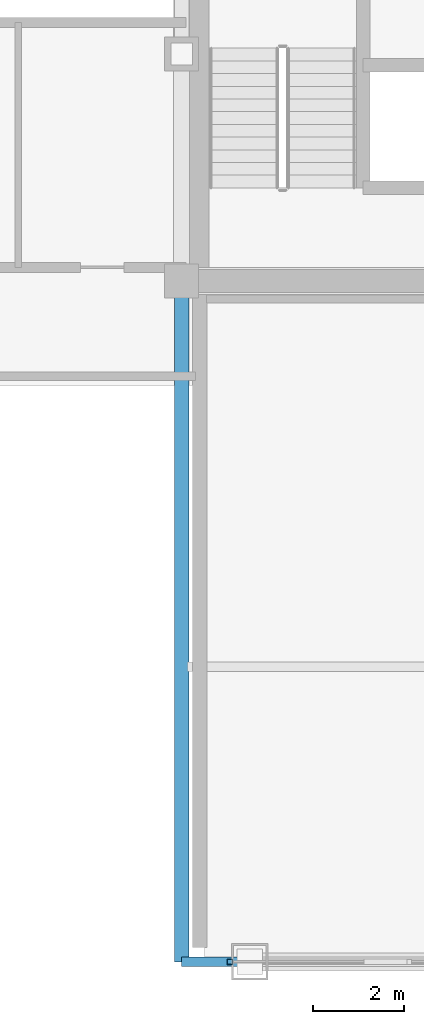
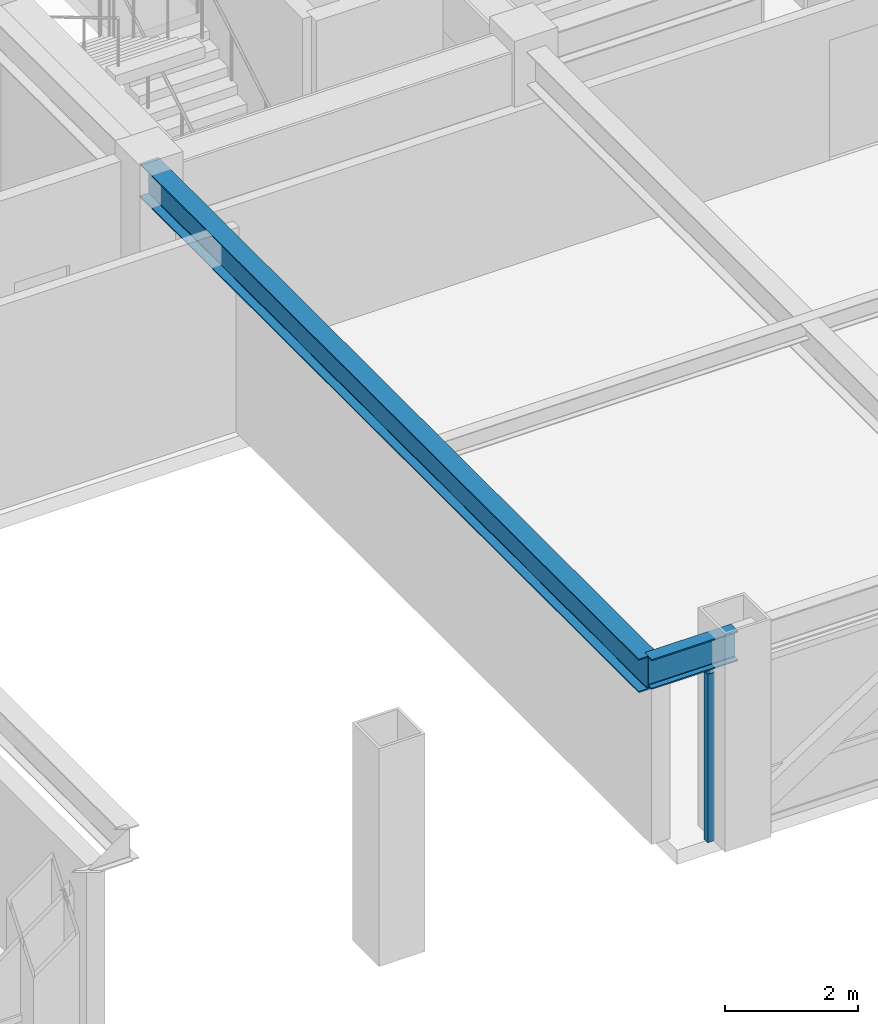
# One storey, part 5 of 29: 2 beams, 1 member, 1 element without a shape of its own.
"""IFC4 building model written with IfcOpenShell, lengths in metres."""

from ifc_helpers import new_model, si_unit, direction, frame, origin, origin_2d, place, context, subcontext, project, spatial, hollow_rectangle, i_section, extrude, source, transform, mapped, material, material_profile, profile_set, type_object, element, aggregate, save


model = new_model("IFC4")

# Units and contexts
model_context = context("Model", 3, precision=1e-05, world=origin(), true_north=direction((0.0, 1.0)))
body_context = subcontext(model_context, "Body", "Model", "MODEL_VIEW")
ifc_project = project(units=[si_unit("LENGTHUNIT", "METRE"), si_unit("AREAUNIT", "SQUARE_METRE"), si_unit("VOLUMEUNIT", "CUBIC_METRE"), si_unit("PLANEANGLEUNIT", "RADIAN"), si_unit("MASSUNIT", "GRAM", prefix="KILO")], contexts=[model_context])

# Site, building, storey
site_placement = place(None, origin())
site = spatial("IfcSite", under=ifc_project, at=site_placement, CompositionType="ELEMENT")
building_placement = place(site_placement, origin())
building = spatial("IfcBuilding", under=site, at=building_placement, Name="Khorayat Bourse Tower", CompositionType="ELEMENT")
storey_placement = place(building_placement, frame((0.0, 0.0, 350.300048828125)))
storey = spatial("IfcBuildingStorey", under=building, at=storey_placement, Name="L83", CompositionType="ELEMENT", Elevation=350.300048828125)

# Beams
ifc_material_1 = material(Name="Steel ASTM A992 Grade 50", Category="steel")
ifc_material_profile_1 = material_profile(ifc_material_1, i_section(OverallWidth=0.324951171875, OverallDepth=0.615966796875, WebThickness=0.013916015625, FlangeThickness=0.021484375, FilletRadius=0.01611328125, at=origin_2d()), Name="W610X174")
ifc_profile_set_1 = profile_set([ifc_material_profile_1], Name="Steel ASTM A992 Grade 50")
beam_type_1 = type_object("IfcBeamType", Name="BM-GIRD-610", PredefinedType="BEAM", material=ifc_profile_set_1)
shared_shape_1 = source(origin(), body_context, "Body", "SweptSolid", [
    extrude(i_section(OverallWidth=0.324951171875, OverallDepth=0.615966796875, WebThickness=0.013916015625, FlangeThickness=0.021484375, FilletRadius=0.01611328125, at=origin_2d()), origin(), (0.0, 0.0, 1.0), 15.0),
])
beam_1_placement = place(storey_placement, frame((4.5, -26.0, 3.431884765625), z_axis=(0.0, 1.0, 0.0), x_axis=(-1.0, 0.0, 0.0)))
element("IfcBeam", 1, at=beam_1_placement, inside=storey, type_object=beam_type_1, Name="L83 BM-GIRD-610 BM-L83-RADY-058", PredefinedType="BEAM", context=body_context, shape_type="MappedRepresentation", body=[
    mapped(shared_shape_1, transform((0.0, 0.0, 0.0), scale=1.0)),
])
ifc_material_profile_2 = material_profile(ifc_material_1, i_section(OverallWidth=0.214111328125, OverallDepth=0.549072265625, WebThickness=0.0146484375, FlangeThickness=0.023681640625, FilletRadius=0.013916015625, at=origin_2d()), Name="W530X138")
ifc_profile_set_2 = profile_set([ifc_material_profile_2], Name="Steel ASTM A992 Grade 50")
beam_type_2 = type_object("IfcBeamType", Name="BM-SPAN-530", PredefinedType="SPANDREL", material=ifc_profile_set_2)
shared_shape_2 = source(origin(), body_context, "Body", "SweptSolid", [
    extrude(i_section(OverallWidth=0.214111328125, OverallDepth=0.549072265625, WebThickness=0.0146484375, FlangeThickness=0.023681640625, FilletRadius=0.013916015625, at=origin_2d()), origin(), (0.0, 0.0, 1.0), 1.5),
])
beam_2_placement = place(storey_placement, frame((4.5, -26.0, 3.46533203125), z_axis=(1.0, 0.0, 0.0), x_axis=(0.0, 1.0, 0.0)))
element("IfcBeam", 2, at=beam_2_placement, inside=storey, type_object=beam_type_2, Name="L83 BM-SPAN-530 BM-L83-SPN-024", PredefinedType="SPANDREL", context=body_context, shape_type="MappedRepresentation", body=[
    mapped(shared_shape_2, transform((0.0, 0.0, 0.0), scale=1.0)),
])

# Curtain wall, member
ifc_material_2 = material(Name="Aluminium EN AW-6063 T6", Category="aluminium")
curtain_wall_type = type_object("IfcCurtainWallType", Name="CW-SYS-06", PredefinedType="NOTDEFINED", material=ifc_material_2)
curtain_wall_placement = place(storey_placement, origin())
curtain_wall = element("IfcCurtainWall", 3, at=curtain_wall_placement, inside=storey, type_object=curtain_wall_type, Name="L83 Curtain Wall CW-L83-S2", PredefinedType="NOTDEFINED")
ifc_material_profile_3 = material_profile(ifc_material_2, hollow_rectangle(XDim=0.1201171875, YDim=0.1201171875, WallThickness=0.0048828125, at=origin_2d()), Name="ALU 120x120x5")
ifc_profile_set_3 = profile_set([ifc_material_profile_3], Name="Aluminium EN AW-6063 T6")
member_type = type_object("IfcMemberType", Name="CWM-VERT-120", PredefinedType="MULLION", material=ifc_profile_set_3)
shared_shape_3 = source(origin(), body_context, "Body", "SweptSolid", [
    extrude(hollow_rectangle(XDim=0.1201171875, YDim=0.1201171875, WallThickness=0.0048828125, at=origin_2d()), origin(), (0.0, 0.0, 1.0), 3.08984375),
])
member_placement = place(storey_placement, frame((5.56005859375, -26.0, 0.0), z_axis=(0.0, 0.0, 1.0), x_axis=(0.0, 1.0, 0.0)))
member = element("IfcMember", 4, at=member_placement, type_object=member_type, Name="CW-L83-S2 Vertical Mullion 1", PredefinedType="MULLION", context=body_context, shape_type="MappedRepresentation", body=[
    mapped(shared_shape_3, transform((0.0, 0.0, 0.0), scale=1.0)),
])
aggregate(curtain_wall, [member])

save(model, "model.ifc")
